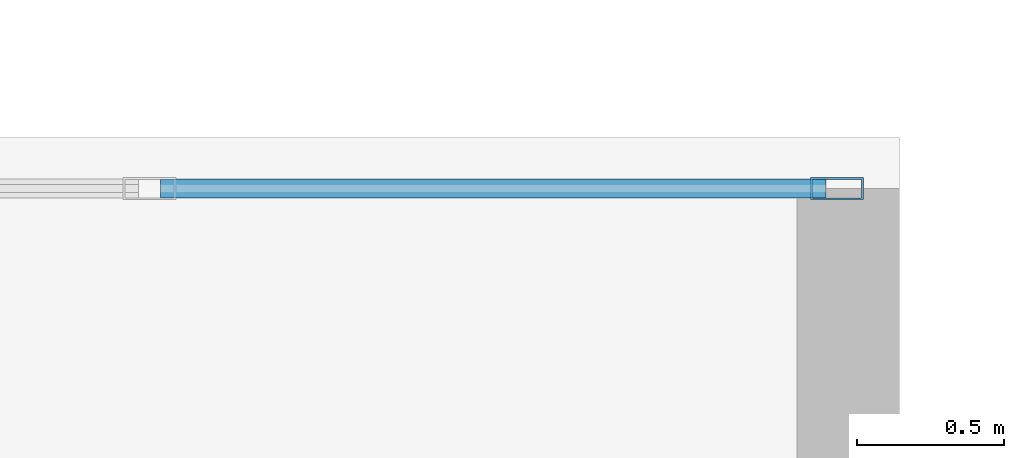
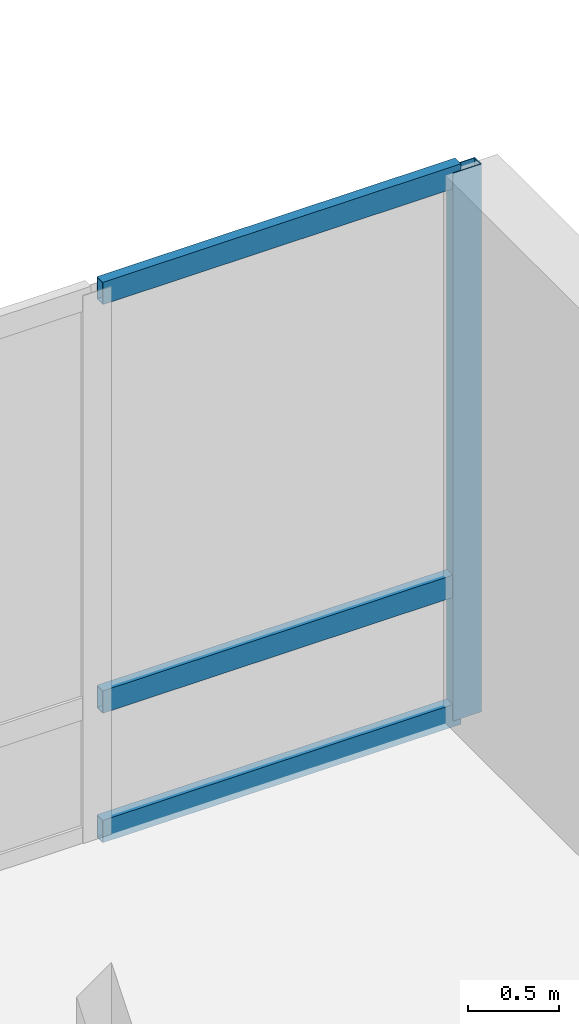
# One storey, part 4 of 17: 4 members, 1 element without a shape of its own.
"""IFC4 building model written with IfcOpenShell, lengths in metres."""

from ifc_helpers import new_model, si_unit, direction, frame, origin, origin_2d, place, context, subcontext, project, spatial, hollow_rectangle, extrude, material, layer, layer_set, material_profile, profile_set, type_object, element, aggregate, save


model = new_model("IFC4")

# Units and contexts
model_context = context("Model", 3, precision=1e-05, world=origin(), true_north=direction((0.0, 1.0)))
body_context = subcontext(model_context, "Body", "Model", "MODEL_VIEW")
ifc_project = project(units=[si_unit("LENGTHUNIT", "METRE"), si_unit("AREAUNIT", "SQUARE_METRE"), si_unit("VOLUMEUNIT", "CUBIC_METRE"), si_unit("PLANEANGLEUNIT", "RADIAN"), si_unit("MASSUNIT", "GRAM", prefix="KILO")], contexts=[model_context])

# Site, building, storey
site_placement = place(None, origin())
site = spatial("IfcSite", under=ifc_project, at=site_placement, CompositionType="ELEMENT")
building_placement = place(site_placement, origin())
building = spatial("IfcBuilding", under=site, at=building_placement, Name="Koriwani Terraces Tower", CompositionType="ELEMENT")
storey_placement = place(building_placement, frame((0.0, 0.0, 332.0)))
storey = spatial("IfcBuildingStorey", under=building, at=storey_placement, Name="L82", CompositionType="ELEMENT", Elevation=332.0)

# Curtain wall, members
ifc_material = material(Name="Anodised Bronze Aluminium", Category="aluminium")
ifc_layer = layer(ifc_material, 0.18994140625, Name="Anodised Bronze Aluminium")
ifc_layer_set = layer_set([ifc_layer], Name="Anodised Bronze Aluminium")
curtain_wall_type = type_object("IfcCurtainWallType", Name="CW_PENTHOUSE_ZONE5", PredefinedType="NOTDEFINED", material=ifc_layer_set)
curtain_wall_placement = place(storey_placement, origin())
curtain_wall = element("IfcCurtainWall", 1, at=curtain_wall_placement, inside=storey, type_object=curtain_wall_type, Name="L82 Unitised Curtain Wall (N_TIP) Bay 3", PredefinedType="NOTDEFINED")
ifc_material_profile_1 = material_profile(ifc_material, hollow_rectangle(XDim=0.074951171875, YDim=0.179931640625, WallThickness=0.006103515625, at=origin_2d()), Name="Anodised Bronze Aluminium", Category="LoadBearing")
ifc_profile_set_1 = profile_set([ifc_material_profile_1], Name="Anodised Bronze Aluminium")
member_type_1 = type_object("IfcMemberType", Name="CW_MULLION_180X75", PredefinedType="MULLION", material=ifc_profile_set_1)
member_1_placement = place(storey_placement, frame((30.387451171875, 75.425048828125, 0.0), z_axis=(0.0, 0.0, 1.0), x_axis=(0.0, 1.0, 0.0)))
member_1 = element("IfcMember", 2, at=member_1_placement, type_object=member_type_1, Name="CW-Z5 mullion 3", PredefinedType="MULLION", context=body_context, shape_type="SweptSolid", body=[
    extrude(hollow_rectangle(XDim=0.074951171875, YDim=0.179931640625, WallThickness=0.006103515625, at=origin_2d()), origin(), (0.0, 0.0, 1.0), 3.669921875),
])
ifc_material_profile_2 = material_profile(ifc_material, hollow_rectangle(XDim=0.06494140625, YDim=0.14990234375, WallThickness=0.0048828125, at=origin_2d()), Name="Anodised Bronze Aluminium", Category="LoadBearing")
ifc_profile_set_2 = profile_set([ifc_material_profile_2], Name="Anodised Bronze Aluminium")
member_type_2 = type_object("IfcMemberType", Name="CW_TRANSOM_150X65", PredefinedType="USERDEFINED", material=ifc_profile_set_2)
member_2_placement = place(storey_placement, frame((28.080078125, 75.425048828125, 0.032470703125), z_axis=(1.0, 0.0, 0.0), x_axis=(0.0, 1.0, 0.0)))
member_2 = element("IfcMember", 3, at=member_2_placement, type_object=member_type_2, Name="CW-Z5 transom 2.1", ObjectType="TRANSOM", PredefinedType="USERDEFINED", context=body_context, shape_type="SweptSolid", body=[
    extrude(hollow_rectangle(XDim=0.06494140625, YDim=0.14990234375, WallThickness=0.0048828125, at=origin_2d()), origin(), (0.0, 0.0, 1.0), 2.27001953125),
])
member_3_placement = place(storey_placement, frame((28.080078125, 75.425048828125, 0.89990234375), z_axis=(1.0, 0.0, 0.0), x_axis=(0.0, 1.0, 0.0)))
member_3 = element("IfcMember", 4, at=member_3_placement, type_object=member_type_2, Name="CW-Z5 transom 2.2", ObjectType="TRANSOM", PredefinedType="USERDEFINED", context=body_context, shape_type="SweptSolid", body=[
    extrude(hollow_rectangle(XDim=0.06494140625, YDim=0.14990234375, WallThickness=0.0048828125, at=origin_2d()), origin(), (0.0, 0.0, 1.0), 2.27001953125),
])
member_4_placement = place(storey_placement, frame((28.080078125, 75.425048828125, 3.637451171875), z_axis=(1.0, 0.0, 0.0), x_axis=(0.0, 1.0, 0.0)))
member_4 = element("IfcMember", 5, at=member_4_placement, type_object=member_type_2, Name="CW-Z5 transom 2.3", ObjectType="TRANSOM", PredefinedType="USERDEFINED", context=body_context, shape_type="SweptSolid", body=[
    extrude(hollow_rectangle(XDim=0.06494140625, YDim=0.14990234375, WallThickness=0.0048828125, at=origin_2d()), origin(), (0.0, 0.0, 1.0), 2.27001953125),
])
aggregate(curtain_wall, [member_1, member_2, member_3, member_4])

save(model, "model.ifc")
